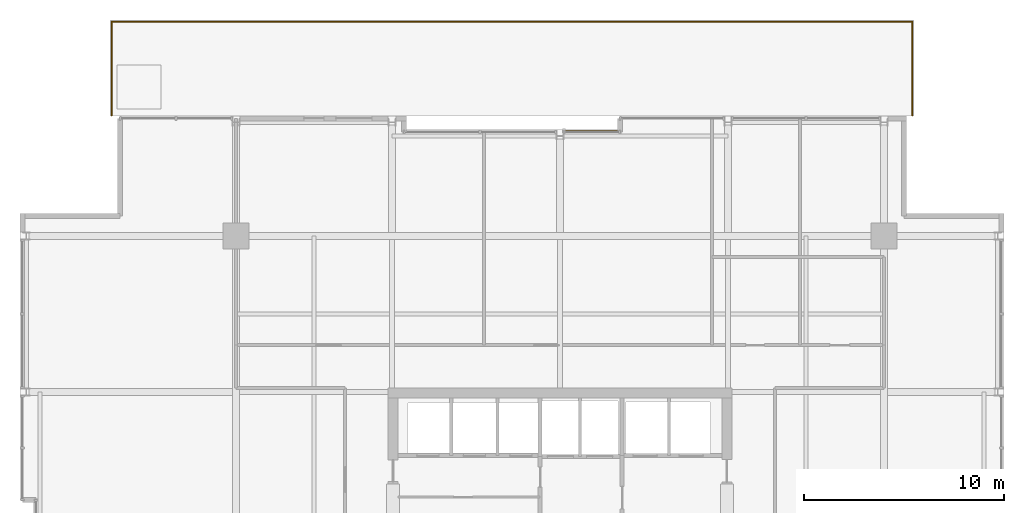
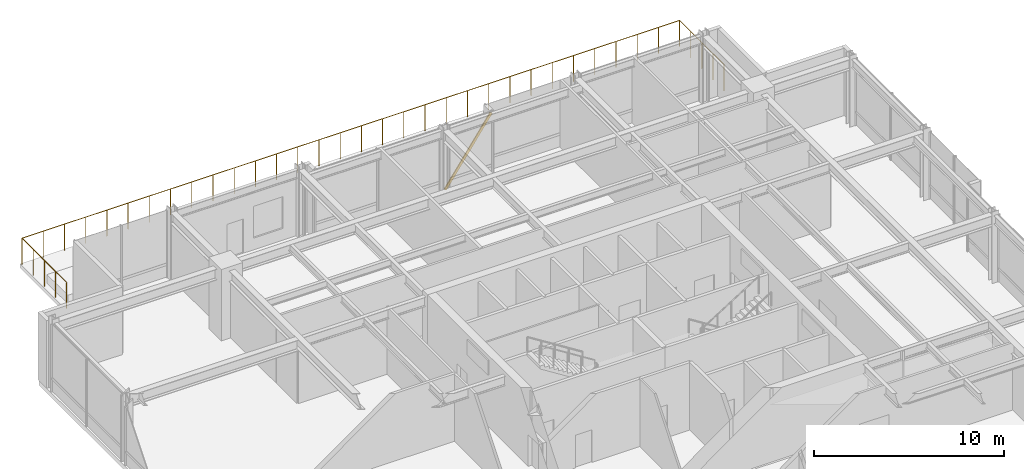
# One storey, part 32 of 32: 1 railing, 1 shading device.
"""IFC4 building model written with IfcOpenShell, lengths in metres."""

from ifc_helpers import new_model, si_unit, direction, frame, origin, origin_2d, place, context, subcontext, project, spatial, hollow_rectangle, circle, extrude, material, material_profile, profile_set, type_object, element, save


model = new_model("IFC4")

# Units and contexts
model_context = context("Model", 3, precision=1e-05, world=origin(), true_north=direction((0.0, 1.0)))
body_context = subcontext(model_context, "Body", "Model", "MODEL_VIEW")
ifc_project = project(units=[si_unit("LENGTHUNIT", "METRE"), si_unit("AREAUNIT", "SQUARE_METRE"), si_unit("VOLUMEUNIT", "CUBIC_METRE"), si_unit("PLANEANGLEUNIT", "RADIAN"), si_unit("MASSUNIT", "GRAM", prefix="KILO")], contexts=[model_context])

# Site, building, storey
site_placement = place(None, origin())
site = spatial("IfcSite", under=ifc_project, at=site_placement, CompositionType="ELEMENT")
building_placement = place(site_placement, origin())
building = spatial("IfcBuilding", under=site, at=building_placement, Name="Drelvath Grand Hotel", CompositionType="ELEMENT")
storey_placement = place(building_placement, frame((0.0, 0.0, 145.800048828125)))
storey = spatial("IfcBuildingStorey", under=building, at=storey_placement, Name="L37", CompositionType="ELEMENT", Elevation=145.800048828125)

# Shading device
ifc_material_1 = material(Name="Brushed Pale-Silver Anodised Aluminium", Category="aluminium")
ifc_material_profile = material_profile(ifc_material_1, hollow_rectangle(XDim=0.06494140625, YDim=0.159912109375, WallThickness=0.00390625, at=origin_2d()), Name="HSS160X65X4")
ifc_profile_set = profile_set([ifc_material_profile], Name="Brushed Pale-Silver Anodised Aluminium")
shading_device_type = type_object("IfcShadingDeviceType", Name="Diagonal Solar Fin Pale-Silver Anodised HSS160X65X4", PredefinedType="USERDEFINED", material=ifc_profile_set)
shading_device_placement = place(storey_placement, frame((0.2001953125, 48.47998046875, 0.179931640625), z_axis=(0.575366635701, 0.0, 0.817895613463), x_axis=(0.0, 1.0, 0.0)))
element("IfcShadingDevice", 1, at=shading_device_placement, inside=storey, type_object=shading_device_type, Name="L37 Diagonal Anodised Fin CW04-L37-NM2", ObjectType="FIN", PredefinedType="USERDEFINED", context=body_context, shape_type="SweptSolid", body=[
    extrude(hollow_rectangle(XDim=0.06494140625, YDim=0.159912109375, WallThickness=0.00390625, at=origin_2d()), origin(), (0.0, 0.0, 1.0), 4.8662109375),
])

# Railing
ifc_material_2 = material(Name="Anodised Aluminium and Laminated Glass Balustrade", Category="aluminium")
railing_type = type_object("IfcRailingType", Name="Raised Planter Edge Balustrade 1700", PredefinedType="BALUSTRADE", material=ifc_material_2)
railing_placement = place(storey_placement, frame((-22.419921875, 49.219970703125, 0.0)))
element("IfcRailing", 2, at=railing_placement, inside=storey, type_object=railing_type, Name="L37 Setback Terrace Perimeter Balustrade 1", PredefinedType="BALUSTRADE", context=body_context, shape_type="SweptSolid", body=[
    extrude(circle(Radius=0.02392578125, at=origin_2d()), frame((0.0, 0.0, 1.67578125), z_axis=(0.0, 1.0, 0.0), x_axis=(-1.0, 0.0, 0.0)), (0.0, 0.0, 1.0), 4.699951171875),
    extrude(circle(Radius=0.02392578125, at=origin_2d()), frame((0.0, 4.699951171875, 1.67578125), z_axis=(1.0, 0.0, 0.0), x_axis=(0.0, 1.0, 0.0)), (0.0, 0.0, 1.0), 40.0400390625),
    extrude(circle(Radius=0.02392578125, at=origin_2d()), frame((40.0400390625, 4.699951171875, 1.67578125), z_axis=(0.0, -1.0, 0.0), x_axis=(1.0, 0.0, 0.0)), (0.0, 0.0, 1.0), 4.699951171875),
    extrude(circle(Radius=0.02099609375, at=origin_2d()), origin(), (0.0, 0.0, 1.0), 1.65185546875),
    extrude(circle(Radius=0.02099609375, at=origin_2d()), frame((0.0, 1.175048828125, 0.0)), (0.0, 0.0, 1.0), 1.65185546875),
    extrude(circle(Radius=0.02099609375, at=origin_2d()), frame((0.0, 2.35009765625, 0.0)), (0.0, 0.0, 1.0), 1.65185546875),
    extrude(circle(Radius=0.02099609375, at=origin_2d()), frame((0.0, 3.52490234375, 0.0)), (0.0, 0.0, 1.0), 1.65185546875),
    extrude(circle(Radius=0.02099609375, at=origin_2d()), frame((0.0, 4.699951171875, 0.0)), (0.0, 0.0, 1.0), 1.65185546875),
    extrude(circle(Radius=0.02099609375, at=origin_2d()), frame((1.29150390625, 4.699951171875, 0.0)), (0.0, 0.0, 1.0), 1.65185546875),
    extrude(circle(Radius=0.02099609375, at=origin_2d()), frame((2.583251953125, 4.699951171875, 0.0)), (0.0, 0.0, 1.0), 1.65185546875),
    extrude(circle(Radius=0.02099609375, at=origin_2d()), frame((3.874755859375, 4.699951171875, 0.0)), (0.0, 0.0, 1.0), 1.65185546875),
    extrude(circle(Radius=0.02099609375, at=origin_2d()), frame((5.16650390625, 4.699951171875, 0.0)), (0.0, 0.0, 1.0), 1.65185546875),
    extrude(circle(Radius=0.02099609375, at=origin_2d()), frame((6.4580078125, 4.699951171875, 0.0)), (0.0, 0.0, 1.0), 1.65185546875),
    extrude(circle(Radius=0.02099609375, at=origin_2d()), frame((7.749755859375, 4.699951171875, 0.0)), (0.0, 0.0, 1.0), 1.65185546875),
    extrude(circle(Radius=0.02099609375, at=origin_2d()), frame((9.041259765625, 4.699951171875, 0.0)), (0.0, 0.0, 1.0), 1.65185546875),
    extrude(circle(Radius=0.02099609375, at=origin_2d()), frame((10.3330078125, 4.699951171875, 0.0)), (0.0, 0.0, 1.0), 1.65185546875),
    extrude(circle(Radius=0.02099609375, at=origin_2d()), frame((11.62451171875, 4.699951171875, 0.0)), (0.0, 0.0, 1.0), 1.65185546875),
    extrude(circle(Radius=0.02099609375, at=origin_2d()), frame((12.916259765625, 4.699951171875, 0.0)), (0.0, 0.0, 1.0), 1.65185546875),
    extrude(circle(Radius=0.02099609375, at=origin_2d()), frame((14.207763671875, 4.699951171875, 0.0)), (0.0, 0.0, 1.0), 1.65185546875),
    extrude(circle(Radius=0.02099609375, at=origin_2d()), frame((15.499267578125, 4.699951171875, 0.0)), (0.0, 0.0, 1.0), 1.65185546875),
    extrude(circle(Radius=0.02099609375, at=origin_2d()), frame((16.791015625, 4.699951171875, 0.0)), (0.0, 0.0, 1.0), 1.65185546875),
    extrude(circle(Radius=0.02099609375, at=origin_2d()), frame((18.08251953125, 4.699951171875, 0.0)), (0.0, 0.0, 1.0), 1.65185546875),
    extrude(circle(Radius=0.02099609375, at=origin_2d()), frame((19.374267578125, 4.699951171875, 0.0)), (0.0, 0.0, 1.0), 1.65185546875),
    extrude(circle(Radius=0.02099609375, at=origin_2d()), frame((20.665771484375, 4.699951171875, 0.0)), (0.0, 0.0, 1.0), 1.65185546875),
    extrude(circle(Radius=0.02099609375, at=origin_2d()), frame((21.95751953125, 4.699951171875, 0.0)), (0.0, 0.0, 1.0), 1.65185546875),
    extrude(circle(Radius=0.02099609375, at=origin_2d()), frame((23.2490234375, 4.699951171875, 0.0)), (0.0, 0.0, 1.0), 1.65185546875),
    extrude(circle(Radius=0.02099609375, at=origin_2d()), frame((24.540771484375, 4.699951171875, 0.0)), (0.0, 0.0, 1.0), 1.65185546875),
    extrude(circle(Radius=0.02099609375, at=origin_2d()), frame((25.832275390625, 4.699951171875, 0.0)), (0.0, 0.0, 1.0), 1.65185546875),
    extrude(circle(Radius=0.02099609375, at=origin_2d()), frame((27.123779296875, 4.699951171875, 0.0)), (0.0, 0.0, 1.0), 1.65185546875),
    extrude(circle(Radius=0.02099609375, at=origin_2d()), frame((28.41552734375, 4.699951171875, 0.0)), (0.0, 0.0, 1.0), 1.65185546875),
    extrude(circle(Radius=0.02099609375, at=origin_2d()), frame((29.70703125, 4.699951171875, 0.0)), (0.0, 0.0, 1.0), 1.65185546875),
    extrude(circle(Radius=0.02099609375, at=origin_2d()), frame((30.998779296875, 4.699951171875, 0.0)), (0.0, 0.0, 1.0), 1.65185546875),
    extrude(circle(Radius=0.02099609375, at=origin_2d()), frame((32.290283203125, 4.699951171875, 0.0)), (0.0, 0.0, 1.0), 1.65185546875),
    extrude(circle(Radius=0.02099609375, at=origin_2d()), frame((33.58203125, 4.699951171875, 0.0)), (0.0, 0.0, 1.0), 1.65185546875),
    extrude(circle(Radius=0.02099609375, at=origin_2d()), frame((34.87353515625, 4.699951171875, 0.0)), (0.0, 0.0, 1.0), 1.65185546875),
    extrude(circle(Radius=0.02099609375, at=origin_2d()), frame((36.165283203125, 4.699951171875, 0.0)), (0.0, 0.0, 1.0), 1.65185546875),
    extrude(circle(Radius=0.02099609375, at=origin_2d()), frame((37.456787109375, 4.699951171875, 0.0)), (0.0, 0.0, 1.0), 1.65185546875),
    extrude(circle(Radius=0.02099609375, at=origin_2d()), frame((38.74853515625, 4.699951171875, 0.0)), (0.0, 0.0, 1.0), 1.65185546875),
    extrude(circle(Radius=0.02099609375, at=origin_2d()), frame((40.0400390625, 4.699951171875, 0.0)), (0.0, 0.0, 1.0), 1.65185546875),
    extrude(circle(Radius=0.02099609375, at=origin_2d()), frame((40.0400390625, 3.52490234375, 0.0)), (0.0, 0.0, 1.0), 1.65185546875),
    extrude(circle(Radius=0.02099609375, at=origin_2d()), frame((40.0400390625, 2.35009765625, 0.0)), (0.0, 0.0, 1.0), 1.65185546875),
    extrude(circle(Radius=0.02099609375, at=origin_2d()), frame((40.0400390625, 1.175048828125, 0.0)), (0.0, 0.0, 1.0), 1.65185546875),
    extrude(circle(Radius=0.02099609375, at=origin_2d()), frame((40.0400390625, 0.0, 0.0)), (0.0, 0.0, 1.0), 1.65185546875),
])

save(model, "model.ifc")
